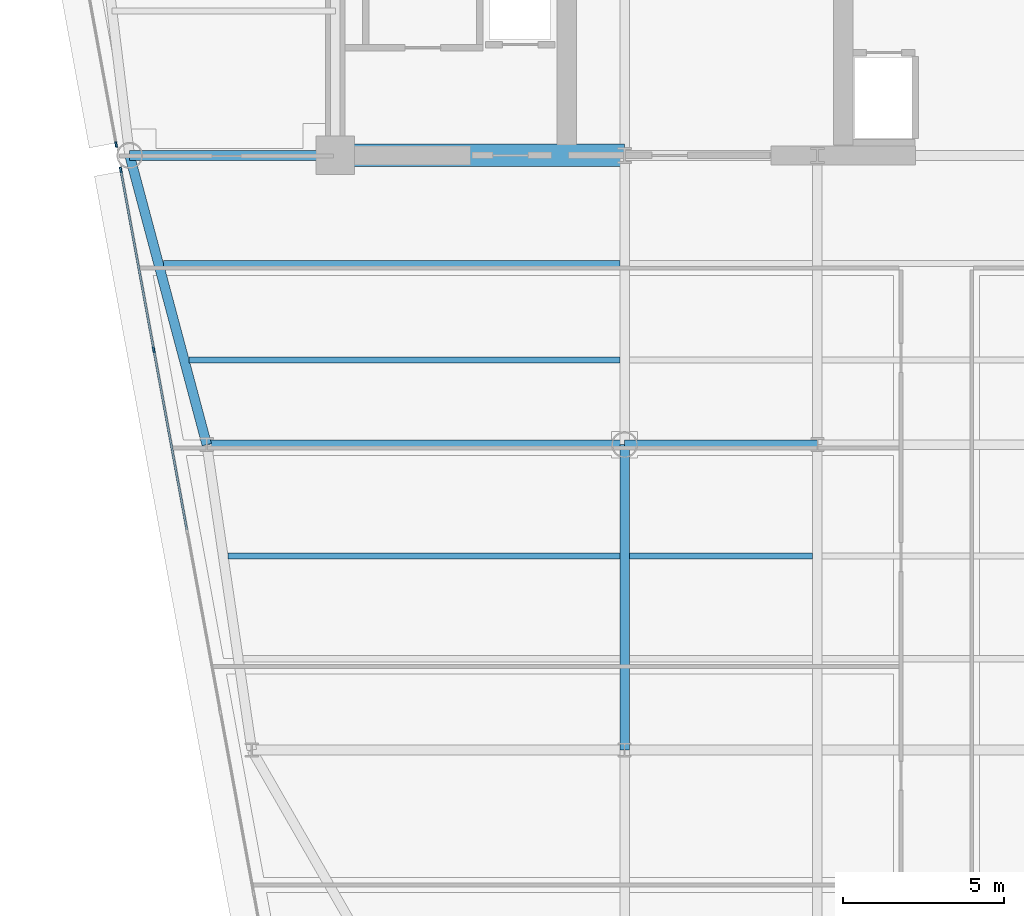
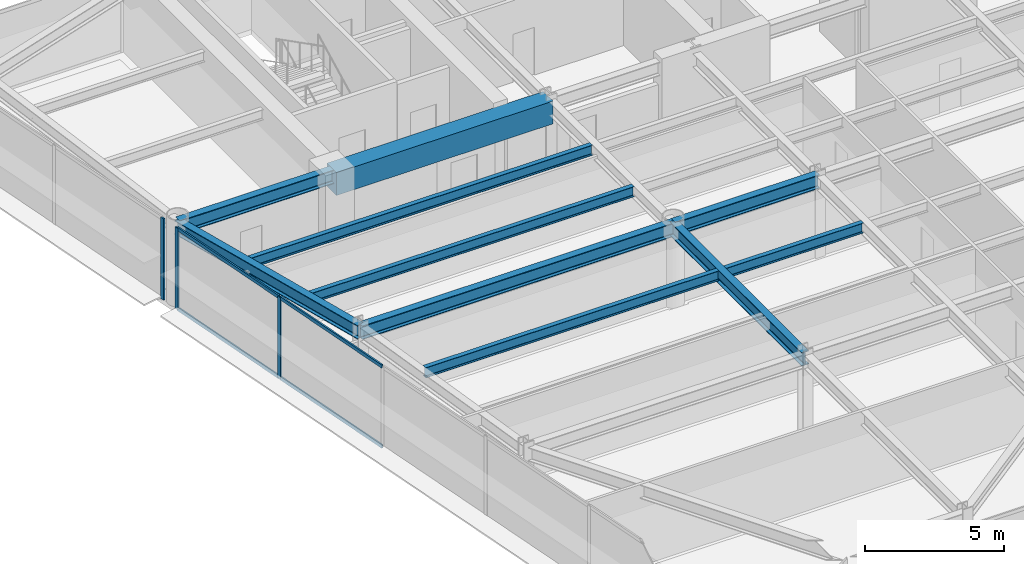
# One storey, part 4 of 16: 10 beams, 7 members, 2 elements without a shape of their own.
"""IFC4 building model written with IfcOpenShell, lengths in metres."""

from ifc_helpers import new_model, si_unit, direction, frame, origin, origin_2d, place, context, subcontext, project, spatial, rectangle, i_section, extrude, source, transform, mapped, material, layer, layer_set, material_profile, profile_set, type_object, element, aggregate, save


model = new_model("IFC4")

# Units and contexts
model_context = context("Model", 3, precision=1e-05, world=origin(), true_north=direction((0.0, 1.0)))
body_context = subcontext(model_context, "Body", "Model", "MODEL_VIEW")
ifc_project = project(units=[si_unit("LENGTHUNIT", "METRE"), si_unit("AREAUNIT", "SQUARE_METRE"), si_unit("VOLUMEUNIT", "CUBIC_METRE"), si_unit("PLANEANGLEUNIT", "RADIAN"), si_unit("MASSUNIT", "GRAM", prefix="KILO")], contexts=[model_context])

# Site, building, storey
site_placement = place(None, origin())
site = spatial("IfcSite", under=ifc_project, at=site_placement, CompositionType="ELEMENT")
building_placement = place(site_placement, origin())
building = spatial("IfcBuilding", under=site, at=building_placement, Name="Vaeldorn Concourse Tower", CompositionType="ELEMENT")
storey_placement = place(building_placement, frame((0.0, 0.0, 184.199951171875)))
storey = spatial("IfcBuildingStorey", under=building, at=storey_placement, Name="L47", CompositionType="ELEMENT", Elevation=184.199951171875)

# Beams
ifc_material_1 = material(Name="Concrete C50/60", Category="concrete")
ifc_material_profile_1 = material_profile(ifc_material_1, rectangle(XDim=0.699951171875, YDim=1.0, at=origin_2d()), Name="RC 700x1000")
ifc_profile_set_1 = profile_set([ifc_material_profile_1], Name="Concrete C50/60")
beam_type_1 = type_object("IfcBeamType", Name="BM-CB-RC700", PredefinedType="BEAM", material=ifc_profile_set_1)
shared_shape_1 = source(origin(), body_context, "Body", "SweptSolid", [
    extrude(rectangle(XDim=0.699951171875, YDim=1.0, at=origin_2d()), origin(), (0.0, 0.0, 1.0), 9.0),
])
beam_1_placement = place(storey_placement, frame((14.0, 36.5, 3.080078125), z_axis=(1.0, 0.0, 0.0), x_axis=(0.0, 1.0, 0.0)))
element("IfcBeam", 1, at=beam_1_placement, inside=storey, type_object=beam_type_1, Name="Core Coupling Beam L47-1", PredefinedType="BEAM", context=body_context, shape_type="MappedRepresentation", body=[
    mapped(shared_shape_1, transform((0.0, 0.0, 0.0), scale=1.0)),
])
ifc_material_2 = material(Name="Steel S355", Category="steel")
ifc_material_profile_2 = material_profile(ifc_material_2, i_section(OverallWidth=0.18994140625, OverallDepth=0.449951171875, WebThickness=0.009521484375, FlangeThickness=0.0146484375, FilletRadius=0.02099609375, at=origin_2d()), Name="IPE 450")
ifc_profile_set_2 = profile_set([ifc_material_profile_2], Name="Steel S355")
beam_type_2 = type_object("IfcBeamType", Name="BM-JS-IPE450", PredefinedType="JOIST", material=ifc_profile_set_2)
shared_shape_2 = source(origin(), body_context, "Body", "SweptSolid", [
    extrude(i_section(OverallWidth=0.18994140625, OverallDepth=0.449951171875, WebThickness=0.009521484375, FlangeThickness=0.0146484375, FilletRadius=0.02099609375, at=origin_2d()), origin(), (0.0, 0.0, 1.0), 5.7001953125),
])
beam_2_placement = place(storey_placement, frame((23.14990234375, 24.0400390625, 3.35498046875), z_axis=(1.0, 0.0, 0.0), x_axis=(0.0, 1.0, 0.0)))
element("IfcBeam", 2, at=beam_2_placement, inside=storey, type_object=beam_type_2, Name="Beam JS-L47-W2-240", PredefinedType="JOIST", context=body_context, shape_type="MappedRepresentation", body=[
    mapped(shared_shape_2, transform((0.0, 0.0, 0.0), scale=1.0)),
])
shared_shape_3 = source(origin(), body_context, "Body", "SweptSolid", [
    extrude(i_section(OverallWidth=0.18994140625, OverallDepth=0.449951171875, WebThickness=0.009521484375, FlangeThickness=0.0146484375, FilletRadius=0.02099609375, at=origin_2d()), origin(), (0.0, 0.0, 1.0), 12.190185546875),
])
beam_3_placement = place(storey_placement, frame((10.659912109375, 24.0400390625, 3.35498046875), z_axis=(1.0, 0.0, 0.0), x_axis=(0.0, 1.0, 0.0)))
element("IfcBeam", 3, at=beam_3_placement, inside=storey, type_object=beam_type_2, Name="Beam JS-L47-W1-240", PredefinedType="JOIST", context=body_context, shape_type="MappedRepresentation", body=[
    mapped(shared_shape_3, transform((0.0, 0.0, 0.0), scale=1.0)),
])
shared_shape_4 = source(origin(), body_context, "Body", "SweptSolid", [
    extrude(i_section(OverallWidth=0.18994140625, OverallDepth=0.449951171875, WebThickness=0.009521484375, FlangeThickness=0.0146484375, FilletRadius=0.02099609375, at=origin_2d()), origin(), (0.0, 0.0, 1.0), 13.404052734375),
])
beam_4_placement = place(storey_placement, frame((9.446044921875, 30.139892578125, 3.35498046875), z_axis=(1.0, 0.0, 0.0), x_axis=(0.0, 1.0, 0.0)))
element("IfcBeam", 4, at=beam_4_placement, inside=storey, type_object=beam_type_2, Name="Beam JS-L47-W1-301", PredefinedType="JOIST", context=body_context, shape_type="MappedRepresentation", body=[
    mapped(shared_shape_4, transform((0.0, 0.0, 0.0), scale=1.0)),
])
shared_shape_5 = source(origin(), body_context, "Body", "SweptSolid", [
    extrude(i_section(OverallWidth=0.18994140625, OverallDepth=0.449951171875, WebThickness=0.009521484375, FlangeThickness=0.0146484375, FilletRadius=0.02099609375, at=origin_2d()), origin(), (0.0, 0.0, 1.0), 14.2041015625),
])
beam_5_placement = place(storey_placement, frame((8.64599609375, 33.139892578125, 3.35498046875), z_axis=(1.0, 0.0, 0.0), x_axis=(0.0, 1.0, 0.0)))
element("IfcBeam", 5, at=beam_5_placement, inside=storey, type_object=beam_type_2, Name="Beam JS-L47-W1-331", PredefinedType="JOIST", context=body_context, shape_type="MappedRepresentation", body=[
    mapped(shared_shape_5, transform((0.0, 0.0, 0.0), scale=1.0)),
])
ifc_material_profile_3 = material_profile(ifc_material_2, i_section(OverallWidth=0.300048828125, OverallDepth=0.60009765625, WebThickness=0.015380859375, FlangeThickness=0.030029296875, FilletRadius=0.027099609375, at=origin_2d()), Name="HEB 600")
ifc_profile_set_3 = profile_set([ifc_material_profile_3], Name="Steel S355")
beam_type_3 = type_object("IfcBeamType", Name="BM-PG-HEB600", PredefinedType="BEAM", material=ifc_profile_set_3)
shared_shape_6 = source(origin(), body_context, "Body", "SweptSolid", [
    extrude(i_section(OverallWidth=0.300048828125, OverallDepth=0.60009765625, WebThickness=0.015380859375, FlangeThickness=0.030029296875, FilletRadius=0.027099609375, at=origin_2d()), origin(), (0.0, 0.0, 1.0), 6.0),
])
beam_6_placement = place(storey_placement, frame((23.0, 27.5, 3.280029296875), z_axis=(1.0, 0.0, 0.0), x_axis=(0.0, 1.0, 0.0)))
element("IfcBeam", 6, at=beam_6_placement, inside=storey, type_object=beam_type_3, Name="Beam BM-L47-C-TW1-C-TW2", PredefinedType="BEAM", context=body_context, shape_type="MappedRepresentation", body=[
    mapped(shared_shape_6, transform((0.0, 0.0, 0.0), scale=1.0)),
])
shared_shape_7 = source(origin(), body_context, "Body", "SweptSolid", [
    extrude(i_section(OverallWidth=0.300048828125, OverallDepth=0.60009765625, WebThickness=0.015380859375, FlangeThickness=0.030029296875, FilletRadius=0.027099609375, at=origin_2d()), origin(), (0.0, 0.0, 1.0), 6.39990234375),
])
beam_7_placement = place(storey_placement, frame((7.60009765625, 36.5, 3.280029296875), z_axis=(1.0, 0.0, 0.0), x_axis=(0.0, 1.0, 0.0)))
element("IfcBeam", 7, at=beam_7_placement, inside=storey, type_object=beam_type_3, Name="Beam BM-L47-C-NW2-C-FC1", PredefinedType="BEAM", context=body_context, shape_type="MappedRepresentation", body=[
    mapped(shared_shape_7, transform((0.0, 0.0, 0.0), scale=1.0)),
])
shared_shape_8 = source(origin(), body_context, "Body", "SweptSolid", [
    extrude(i_section(OverallWidth=0.300048828125, OverallDepth=0.60009765625, WebThickness=0.015380859375, FlangeThickness=0.030029296875, FilletRadius=0.027099609375, at=origin_2d()), origin(), (0.0, 0.0, 1.0), 9.314453125),
])
beam_8_placement = place(storey_placement, frame((7.60009765625, 36.5, 3.280029296875), z_axis=(0.257652862255, -0.966237549763, 0.0), x_axis=(0.966237549763, 0.257652862255, 0.0)))
element("IfcBeam", 8, at=beam_8_placement, inside=storey, type_object=beam_type_3, Name="Beam BM-L47-C-NW2-C-FLW1", PredefinedType="BEAM", context=body_context, shape_type="MappedRepresentation", body=[
    mapped(shared_shape_8, transform((0.0, 0.0, 0.0), scale=1.0)),
])
shared_shape_9 = source(origin(), body_context, "Body", "SweptSolid", [
    extrude(i_section(OverallWidth=0.300048828125, OverallDepth=0.60009765625, WebThickness=0.015380859375, FlangeThickness=0.030029296875, FilletRadius=0.027099609375, at=origin_2d()), origin(), (0.0, 0.0, 1.0), 13.0),
])
beam_9_placement = place(storey_placement, frame((10.0, 27.5, 3.280029296875), z_axis=(1.0, 0.0, 0.0), x_axis=(0.0, 1.0, 0.0)))
element("IfcBeam", 9, at=beam_9_placement, inside=storey, type_object=beam_type_3, Name="Beam BM-L47-C-FLW1-C-TW1", PredefinedType="BEAM", context=body_context, shape_type="MappedRepresentation", body=[
    mapped(shared_shape_9, transform((0.0, 0.0, 0.0), scale=1.0)),
])
shared_shape_10 = source(origin(), body_context, "Body", "SweptSolid", [
    extrude(i_section(OverallWidth=0.300048828125, OverallDepth=0.60009765625, WebThickness=0.015380859375, FlangeThickness=0.030029296875, FilletRadius=0.027099609375, at=origin_2d()), origin(), (0.0, 0.0, 1.0), 9.5),
])
beam_10_placement = place(storey_placement, frame((23.0, 18.0, 3.280029296875), z_axis=(0.0, 1.0, 0.0), x_axis=(-1.0, 0.0, 0.0)))
element("IfcBeam", 10, at=beam_10_placement, inside=storey, type_object=beam_type_3, Name="Beam BM-L47-C-TW5-C-TW1", PredefinedType="BEAM", context=body_context, shape_type="MappedRepresentation", body=[
    mapped(shared_shape_10, transform((0.0, 0.0, 0.0), scale=1.0)),
])

# Curtain wall, member
ifc_material_3 = material(Name="Anodised Bronze Aluminium", Category="aluminium")
ifc_layer = layer(ifc_material_3, 0.18994140625)
ifc_layer_set = layer_set([ifc_layer], Name="Anodised Bronze Aluminium")
curtain_wall_type = type_object("IfcCurtainWallType", Name="CW-SYS-03", PredefinedType="NOTDEFINED", material=ifc_layer_set)
curtain_wall_1_placement = place(storey_placement, origin())
curtain_wall_1 = element("IfcCurtainWall", 11, at=curtain_wall_1_placement, inside=storey, type_object=curtain_wall_type, Name="Unitised Curtain Wall CW-L47-E11-1", PredefinedType="NOTDEFINED")
ifc_material_profile_4 = material_profile(ifc_material_3, rectangle(XDim=0.06494140625, YDim=0.169921875, at=origin_2d()), Name="CWM 65x170")
ifc_profile_set_4 = profile_set([ifc_material_profile_4], Name="Anodised Bronze Aluminium")
member_type_1 = type_object("IfcMemberType", Name="CWM-BRONZE-170", PredefinedType="MULLION", material=ifc_profile_set_4)
shared_shape_11 = source(origin(), body_context, "Body", "SweptSolid", [
    extrude(rectangle(XDim=0.06494140625, YDim=0.169921875, at=origin_2d()), origin(), (0.0, 0.0, 1.0), 3.580078125),
])
member_1_placement = place(storey_placement, frame((7.177734375, 36.83935546875, 0.0), z_axis=(0.0, 0.0, 1.0), x_axis=(0.983559459619, 0.180584576845, 0.0)))
member_1 = element("IfcMember", 12, at=member_1_placement, type_object=member_type_1, Name="CW-03 mullion 3", PredefinedType="MULLION", context=body_context, shape_type="MappedRepresentation", body=[
    mapped(shared_shape_11, transform((0.0, 0.0, 0.0), scale=1.0)),
])
aggregate(curtain_wall_1, [member_1])

# Curtain wall, members
curtain_wall_2_placement = place(storey_placement, origin())
curtain_wall_2 = element("IfcCurtainWall", 13, at=curtain_wall_2_placement, inside=storey, type_object=curtain_wall_type, Name="Unitised Curtain Wall CW-L47-E11-2", PredefinedType="NOTDEFINED")
member_2_placement = place(storey_placement, frame((7.322265625, 36.051513671875, 0.0), z_axis=(0.0, 0.0, 1.0), x_axis=(0.983559325018, 0.180585309951, 0.0)))
member_2 = element("IfcMember", 14, at=member_2_placement, type_object=member_type_1, Name="CW-03 mullion 1", PredefinedType="MULLION", context=body_context, shape_type="MappedRepresentation", body=[
    mapped(shared_shape_11, transform((0.0, 0.0, 0.0), scale=1.0)),
])
member_3_placement = place(storey_placement, frame((8.351318359375, 30.44677734375, 0.0), z_axis=(0.0, 0.0, 1.0), x_axis=(0.983559325018, 0.180585309951, 0.0)))
member_3 = element("IfcMember", 15, at=member_3_placement, type_object=member_type_1, Name="CW-03 mullion 2", PredefinedType="MULLION", context=body_context, shape_type="MappedRepresentation", body=[
    mapped(shared_shape_11, transform((0.0, 0.0, 0.0), scale=1.0)),
])
ifc_material_profile_5 = material_profile(ifc_material_3, rectangle(XDim=0.06494140625, YDim=0.14990234375, at=origin_2d()), Name="CWT 65x150")
ifc_profile_set_5 = profile_set([ifc_material_profile_5], Name="Anodised Bronze Aluminium")
member_type_2 = type_object("IfcMemberType", Name="CWT-BRONZE-150", PredefinedType="USERDEFINED", material=ifc_profile_set_5)
shared_shape_12 = source(origin(), body_context, "Body", "SweptSolid", [
    extrude(rectangle(XDim=0.06494140625, YDim=0.14990234375, at=origin_2d()), origin(), (0.0, 0.0, 1.0), 5.63330078125),
])
member_4_placement = place(storey_placement, frame((7.328125, 36.01953125, 0.032470703125), z_axis=(0.180589917692, -0.983558479008, 0.0), x_axis=(0.983558479008, 0.180589917692, 0.0)))
member_4 = element("IfcMember", 16, at=member_4_placement, type_object=member_type_2, Name="CW-03 transom 1.1", ObjectType="TRANSOM", PredefinedType="USERDEFINED", context=body_context, shape_type="MappedRepresentation", body=[
    mapped(shared_shape_12, transform((0.0, 0.0, 0.0), scale=1.0)),
])
member_5_placement = place(storey_placement, frame((7.328125, 36.01953125, 3.547607421875), z_axis=(0.180589917692, -0.983558479008, 0.0), x_axis=(0.983558479008, 0.180589917692, 0.0)))
member_5 = element("IfcMember", 17, at=member_5_placement, type_object=member_type_2, Name="CW-03 transom 1.2", ObjectType="TRANSOM", PredefinedType="USERDEFINED", context=body_context, shape_type="MappedRepresentation", body=[
    mapped(shared_shape_12, transform((0.0, 0.0, 0.0), scale=1.0)),
])
shared_shape_13 = source(origin(), body_context, "Body", "SweptSolid", [
    extrude(rectangle(XDim=0.06494140625, YDim=0.14990234375, at=origin_2d()), origin(), (0.0, 0.0, 1.0), 5.666015625),
])
member_6_placement = place(storey_placement, frame((8.357177734375, 30.414794921875, 0.032470703125), z_axis=(0.180587719149, -0.983558882677, 0.0), x_axis=(0.983558882677, 0.180587719149, 0.0)))
member_6 = element("IfcMember", 18, at=member_6_placement, type_object=member_type_2, Name="CW-03 transom 2.1", ObjectType="TRANSOM", PredefinedType="USERDEFINED", context=body_context, shape_type="MappedRepresentation", body=[
    mapped(shared_shape_13, transform((0.0, 0.0, 0.0), scale=1.0)),
])
member_7_placement = place(storey_placement, frame((8.357177734375, 30.414794921875, 3.547607421875), z_axis=(0.180587719149, -0.983558882677, 0.0), x_axis=(0.983558882677, 0.180587719149, 0.0)))
member_7 = element("IfcMember", 19, at=member_7_placement, type_object=member_type_2, Name="CW-03 transom 2.2", ObjectType="TRANSOM", PredefinedType="USERDEFINED", context=body_context, shape_type="MappedRepresentation", body=[
    mapped(shared_shape_13, transform((0.0, 0.0, 0.0), scale=1.0)),
])
aggregate(curtain_wall_2, [member_2, member_3, member_4, member_5, member_6, member_7])

save(model, "model.ifc")
